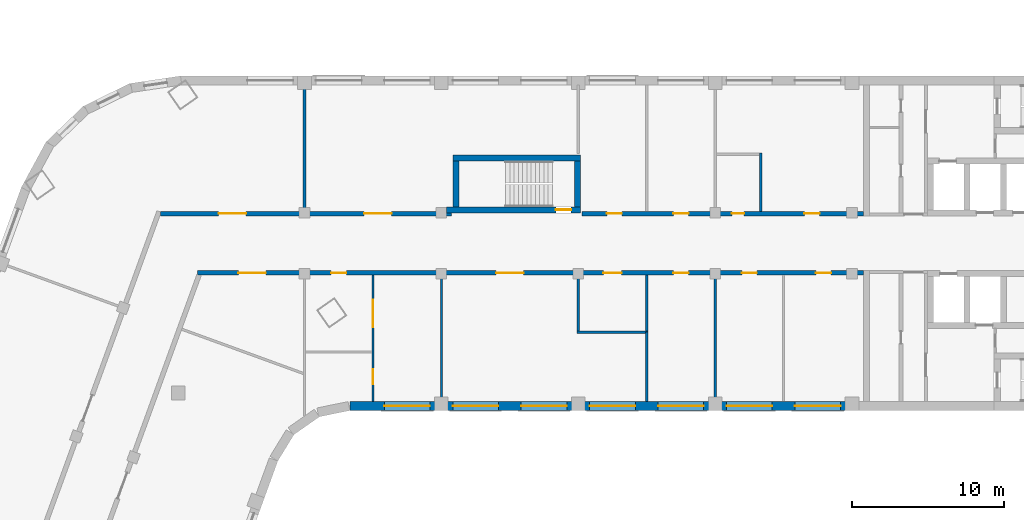
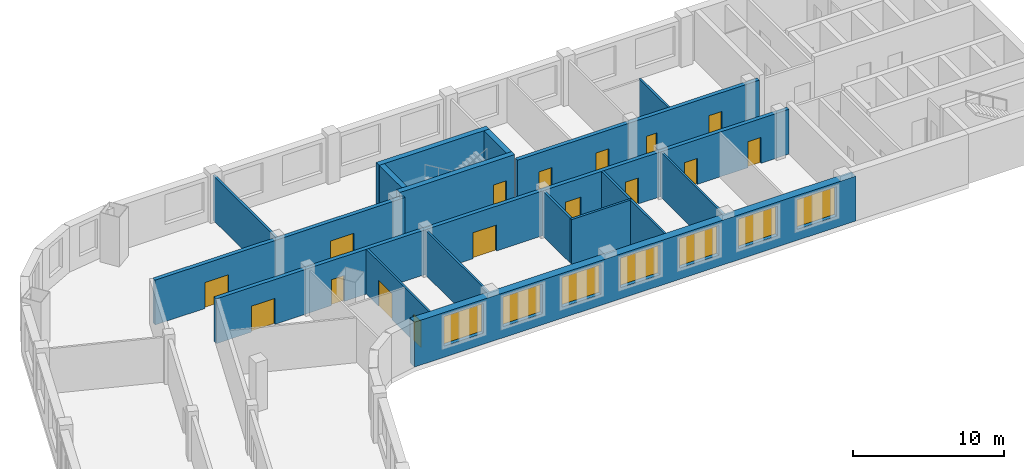
# One storey, part 4 of 12: 17 walls, 16 doors, 7 windows, 23 openings.
"""IFC4 building model written with IfcOpenShell, lengths in metres."""

from ifc_helpers import new_model, si_unit, direction, frame, frame_2d, origin, place, context, subcontext, project, spatial, rectangle, extrude, material, layer, layer_set, type_object, element, fill, save


model = new_model("IFC4")

# Units and contexts
model_context = context("Model", 3, precision=1e-05, world=origin(), true_north=direction((0.0, 1.0)))
body_context = subcontext(model_context, "Body", "Model", "MODEL_VIEW")
ifc_project = project(units=[si_unit("LENGTHUNIT", "METRE"), si_unit("AREAUNIT", "SQUARE_METRE"), si_unit("VOLUMEUNIT", "CUBIC_METRE"), si_unit("PLANEANGLEUNIT", "RADIAN"), si_unit("MASSUNIT", "GRAM", prefix="KILO")], contexts=[model_context])

# Site, building, storey
site_placement = place(None, origin())
site = spatial("IfcSite", under=ifc_project, at=site_placement, CompositionType="ELEMENT")
building_placement = place(site_placement, origin())
building = spatial("IfcBuilding", under=site, at=building_placement, Name="Skarvind Civic Tower", CompositionType="ELEMENT")
storey_placement = place(building_placement, frame((0.0, 0.0, 59.5)))
storey = spatial("IfcBuildingStorey", under=building, at=storey_placement, Name="L13", CompositionType="ELEMENT", Elevation=59.5)

# Walls
ifc_material_1 = material(Name="Acoustic gypsum board on steel studs", Category="steel")
ifc_layer_1 = layer(ifc_material_1, 0.175048828125)
ifc_layer_set_1 = layer_set([ifc_layer_1], Name="ACOUSTIC MEETING-ROOM PARTITION 175")
wall_type_1 = type_object("IfcWallType", Name="ACOUSTIC MEETING-ROOM PARTITION 175", PredefinedType="PARTITIONING", material=ifc_layer_set_1)
wall_1_placement = place(storey_placement, frame((54.25, 138.39990234375, 0.0), z_axis=(0.0, 0.0, 1.0), x_axis=(0.0, -1.0, 0.0)))
element("IfcWall", 1, at=wall_1_placement, inside=storey, type_object=wall_type_1, Name="Partition 13.015", PredefinedType="PARTITIONING", context=body_context, shape_type="SweptSolid", body=[
    extrude(rectangle(XDim=8.2998046875, YDim=0.175048828125, at=frame_2d((4.14990234375, 0.0))), origin(), (0.0, 0.0, 1.0), 3.625),
])
wall_2_placement = place(storey_placement, frame((72.25, 122.238037109375, 0.0), z_axis=(0.0, 0.0, 1.0), x_axis=(0.0, 1.0, 0.0)))
element("IfcWall", 2, at=wall_2_placement, inside=storey, type_object=wall_type_1, Name="Partition 13.018", PredefinedType="PARTITIONING", context=body_context, shape_type="SweptSolid", body=[
    extrude(rectangle(XDim=3.661865234375, YDim=0.175048828125, at=frame_2d((1.8310546875, 0.0))), origin(), (0.0, 0.0, 1.0), 3.625),
])
wall_3_placement = place(storey_placement, frame((76.837890625, 122.14990234375, 0.0), z_axis=(0.0, 0.0, 1.0), x_axis=(-1.0, 0.0, 0.0)))
element("IfcWall", 3, at=wall_3_placement, inside=storey, type_object=wall_type_1, Name="Partition 13.022", PredefinedType="PARTITIONING", context=body_context, shape_type="SweptSolid", body=[
    extrude(rectangle(XDim=4.67578125, YDim=0.175048828125, at=frame_2d((2.337890625, 0.0))), origin(), (0.0, 0.0, 1.0), 3.625),
])
wall_4_placement = place(storey_placement, frame((76.75, 122.238037109375, 0.0), z_axis=(0.0, 0.0, 1.0), x_axis=(0.0, 1.0, 0.0)))
element("IfcWall", 4, at=wall_4_placement, inside=storey, type_object=wall_type_1, Name="Partition 13.023", PredefinedType="PARTITIONING", context=body_context, shape_type="SweptSolid", body=[
    extrude(rectangle(XDim=3.661865234375, YDim=0.175048828125, at=frame_2d((1.8310546875, 0.0))), origin(), (0.0, 0.0, 1.0), 3.625),
])

# Wall, openings, doors
ifc_material_2 = material(Name="Fire-rated gypsum board on steel studs", Category="steel")
ifc_layer_2 = layer(ifc_material_2, 0.300048828125)
ifc_layer_set_2 = layer_set([ifc_layer_2], Name="CORRIDOR WALL 300")
wall_type_2 = type_object("IfcWallType", Name="CORRIDOR WALL 300", PredefinedType="PARTITIONING", material=ifc_layer_set_2)
wall_5_placement = place(storey_placement, frame((44.784912109375, 129.949951171875, 0.0), z_axis=(0.0, 0.0, 1.0), x_axis=(1.0, 0.0, 0.0)))
wall_5 = element("IfcWall", 5, at=wall_5_placement, inside=storey, type_object=wall_type_2, Name="Partition 13.010", PredefinedType="PARTITIONING", context=body_context, shape_type="SweptSolid", body=[
    extrude(rectangle(XDim=19.114990234375, YDim=0.300048828125, at=frame_2d((9.5576171875, 0.0))), origin(), (0.0, 0.0, 1.0), 3.625),
])
opening_1_placement = place(wall_5_placement, frame((13.389892578125, 0.0, 0.0)))
opening_1 = element("IfcOpeningElement", 6, at=opening_1_placement, cuts=wall_5, Name="Opening L13-D005", PredefinedType="OPENING", context=body_context, shape_type="SweptSolid", body=[
    extrude(rectangle(XDim=1.800048828125, YDim=2.10009765625, at=frame_2d((0.89990234375, 1.050048828125))), frame((0.0, 0.159912109375, 0.0), z_axis=(0.0, -1.0, 0.0), x_axis=(1.0, 0.0, 0.0)), (0.0, 0.0, 1.0), 0.320068359375),
])
opening_2_placement = place(wall_5_placement, frame((3.822509765625, 0.0, 0.0)))
opening_2 = element("IfcOpeningElement", 7, at=opening_2_placement, cuts=wall_5, Name="Opening L13-D022", PredefinedType="OPENING", context=body_context, shape_type="SweptSolid", body=[
    extrude(rectangle(XDim=1.800048828125, YDim=2.10009765625, at=frame_2d((0.89990234375, 1.050048828125))), frame((0.0, 0.159912109375, 0.0), z_axis=(0.0, -1.0, 0.0), x_axis=(1.0, 0.0, 0.0)), (0.0, 0.0, 1.0), 0.320068359375),
])
ifc_material_3 = material(Name="Fire-rated timber door leaf", Category="wood")
door_type_1 = type_object("IfcDoorType", Name="FD4 1800x2100", OperationType="NOTDEFINED", PredefinedType="DOOR", material=ifc_material_3)
door_1_placement = place(opening_1_placement, origin())
door_1 = element("IfcDoor", 8, at=door_1_placement, inside=storey, type_object=door_type_1, Name="Door L13-D005", OperationType="DOUBLE_DOOR_SINGLE_SWING", OverallHeight=2.10009765625, OverallWidth=1.800048828125, PredefinedType="DOOR", context=body_context, shape_type="SweptSolid", body=[
    extrude(rectangle(XDim=1.800048828125, YDim=2.10009765625, at=frame_2d((0.89990234375, 1.050048828125))), frame((0.0, 0.02490234375, 0.0), z_axis=(0.0, -1.0, 0.0), x_axis=(1.0, 0.0, 0.0)), (0.0, 0.0, 1.0), 0.050048828125),
])
fill(opening_1, door_1)
door_2_placement = place(opening_2_placement, origin())
door_2 = element("IfcDoor", 9, at=door_2_placement, inside=storey, type_object=door_type_1, Name="Door L13-D022", OperationType="DOUBLE_DOOR_SINGLE_SWING", OverallHeight=2.10009765625, OverallWidth=1.800048828125, PredefinedType="DOOR", context=body_context, shape_type="SweptSolid", body=[
    extrude(rectangle(XDim=1.800048828125, YDim=2.10009765625, at=frame_2d((0.89990234375, 1.050048828125))), frame((0.0, 0.02490234375, 0.0), z_axis=(0.0, -1.0, 0.0), x_axis=(1.0, 0.0, 0.0)), (0.0, 0.0, 1.0), 0.050048828125),
])
fill(opening_2, door_2)

wall_6_placement = place(storey_placement, frame((72.5, 129.949951171875, 0.0), z_axis=(0.0, 0.0, 1.0), x_axis=(1.0, 0.0, 0.0)))
wall_6 = element("IfcWall", 10, at=wall_6_placement, inside=storey, type_object=wall_type_2, Name="Partition 13.020", PredefinedType="PARTITIONING", context=body_context, shape_type="SweptSolid", body=[
    extrude(rectangle(XDim=18.5, YDim=0.300048828125, at=frame_2d((9.25, 0.0))), origin(), (0.0, 0.0, 1.0), 3.625),
])
opening_3_placement = place(wall_6_placement, frame((9.85009765625, 0.0, 0.0)))
opening_3 = element("IfcOpeningElement", 11, at=opening_3_placement, cuts=wall_6, Name="Opening L13-D001", PredefinedType="OPENING", context=body_context, shape_type="SweptSolid", body=[
    extrude(rectangle(XDim=0.800048828125, YDim=2.10009765625, at=frame_2d((0.39990234375, 1.050048828125))), frame((0.0, 0.159912109375, 0.0), z_axis=(0.0, -1.0, 0.0), x_axis=(1.0, 0.0, 0.0)), (0.0, 0.0, 1.0), 0.320068359375),
])
opening_4_placement = place(wall_6_placement, frame((14.625, 0.0, 0.0)))
opening_4 = element("IfcOpeningElement", 12, at=opening_4_placement, cuts=wall_6, Name="Opening L13-D002", PredefinedType="OPENING", context=body_context, shape_type="SweptSolid", body=[
    extrude(rectangle(XDim=1.0, YDim=2.10009765625, at=frame_2d((0.5, 1.050048828125))), frame((0.0, 0.159912109375, 0.0), z_axis=(0.0, -1.0, 0.0), x_axis=(1.0, 0.0, 0.0)), (0.0, 0.0, 1.0), 0.320068359375),
])
opening_5_placement = place(wall_6_placement, frame((6.0, 0.0, 0.0)))
opening_5 = element("IfcOpeningElement", 13, at=opening_5_placement, cuts=wall_6, Name="Opening L13-D003", PredefinedType="OPENING", context=body_context, shape_type="SweptSolid", body=[
    extrude(rectangle(XDim=1.0, YDim=2.10009765625, at=frame_2d((0.5, 1.050048828125))), frame((0.0, 0.159912109375, 0.0), z_axis=(0.0, -1.0, 0.0), x_axis=(1.0, 0.0, 0.0)), (0.0, 0.0, 1.0), 0.320068359375),
])
opening_6_placement = place(wall_6_placement, frame((1.625, 0.0, 0.0)))
opening_6 = element("IfcOpeningElement", 14, at=opening_6_placement, cuts=wall_6, Name="Opening L13-D004", PredefinedType="OPENING", context=body_context, shape_type="SweptSolid", body=[
    extrude(rectangle(XDim=1.0, YDim=2.10009765625, at=frame_2d((0.5, 1.050048828125))), frame((0.0, 0.159912109375, 0.0), z_axis=(0.0, -1.0, 0.0), x_axis=(1.0, 0.0, 0.0)), (0.0, 0.0, 1.0), 0.320068359375),
])
door_type_2 = type_object("IfcDoorType", Name="FD1 1000x2100", OperationType="NOTDEFINED", PredefinedType="DOOR", material=ifc_material_3)
door_3_placement = place(opening_4_placement, origin())
door_3 = element("IfcDoor", 15, at=door_3_placement, inside=storey, type_object=door_type_2, Name="Door L13-D002", OperationType="SINGLE_SWING_LEFT", OverallHeight=2.10009765625, OverallWidth=1.0, PredefinedType="DOOR", context=body_context, shape_type="SweptSolid", body=[
    extrude(rectangle(XDim=1.0, YDim=2.10009765625, at=frame_2d((0.5, 1.050048828125))), frame((0.0, 0.02490234375, 0.0), z_axis=(0.0, -1.0, 0.0), x_axis=(1.0, 0.0, 0.0)), (0.0, 0.0, 1.0), 0.050048828125),
])
fill(opening_4, door_3)
door_4_placement = place(opening_5_placement, origin())
door_4 = element("IfcDoor", 16, at=door_4_placement, inside=storey, type_object=door_type_2, Name="Door L13-D003", OperationType="SINGLE_SWING_RIGHT", OverallHeight=2.10009765625, OverallWidth=1.0, PredefinedType="DOOR", context=body_context, shape_type="SweptSolid", body=[
    extrude(rectangle(XDim=1.0, YDim=2.10009765625, at=frame_2d((0.5, 1.050048828125))), frame((0.0, 0.02490234375, 0.0), z_axis=(0.0, -1.0, 0.0), x_axis=(1.0, 0.0, 0.0)), (0.0, 0.0, 1.0), 0.050048828125),
])
fill(opening_5, door_4)
door_5_placement = place(opening_6_placement, origin())
door_5 = element("IfcDoor", 17, at=door_5_placement, inside=storey, type_object=door_type_2, Name="Door L13-D004", OperationType="SINGLE_SWING_LEFT", OverallHeight=2.10009765625, OverallWidth=1.0, PredefinedType="DOOR", context=body_context, shape_type="SweptSolid", body=[
    extrude(rectangle(XDim=1.0, YDim=2.10009765625, at=frame_2d((0.5, 1.050048828125))), frame((0.0, 0.02490234375, 0.0), z_axis=(0.0, -1.0, 0.0), x_axis=(1.0, 0.0, 0.0)), (0.0, 0.0, 1.0), 0.050048828125),
])
fill(opening_6, door_5)
door_type_3 = type_object("IfcDoorType", Name="FD5 800x2100", OperationType="NOTDEFINED", PredefinedType="DOOR", material=ifc_material_3)
door_6_placement = place(opening_3_placement, origin())
door_6 = element("IfcDoor", 18, at=door_6_placement, inside=storey, type_object=door_type_3, Name="Door L13-D001", OperationType="SINGLE_SWING_LEFT", OverallHeight=2.10009765625, OverallWidth=0.800048828125, PredefinedType="DOOR", context=body_context, shape_type="SweptSolid", body=[
    extrude(rectangle(XDim=0.800048828125, YDim=2.10009765625, at=frame_2d((0.39990234375, 1.050048828125))), frame((0.0, 0.02490234375, 0.0), z_axis=(0.0, -1.0, 0.0), x_axis=(1.0, 0.0, 0.0)), (0.0, 0.0, 1.0), 0.050048828125),
])
fill(opening_3, door_6)

wall_7_placement = place(storey_placement, frame((91.0, 126.050048828125, 0.0), z_axis=(0.0, 0.0, 1.0), x_axis=(-1.0, 0.0, 0.0)))
wall_7 = element("IfcWall", 19, at=wall_7_placement, inside=storey, type_object=wall_type_2, Name="Partition 13.030", PredefinedType="PARTITIONING", context=body_context, shape_type="SweptSolid", body=[
    extrude(rectangle(XDim=43.784912109375, YDim=0.300048828125, at=frame_2d((21.892578125, 0.0))), origin(), (0.0, 0.0, 1.0), 3.625),
])
opening_7_placement = place(wall_7_placement, frame((2.125, 0.0, 0.0)))
opening_7 = element("IfcOpeningElement", 20, at=opening_7_placement, cuts=wall_7, Name="Opening L13-D006", PredefinedType="OPENING", context=body_context, shape_type="SweptSolid", body=[
    extrude(rectangle(XDim=1.0, YDim=2.10009765625, at=frame_2d((0.5, 1.050048828125))), frame((0.0, 0.159912109375, 0.0), z_axis=(0.0, -1.0, 0.0), x_axis=(1.0, 0.0, 0.0)), (0.0, 0.0, 1.0), 0.320068359375),
])
opening_8_placement = place(wall_7_placement, frame((7.0, 0.0, 0.0)))
opening_8 = element("IfcOpeningElement", 21, at=opening_8_placement, cuts=wall_7, Name="Opening L13-D007", PredefinedType="OPENING", context=body_context, shape_type="SweptSolid", body=[
    extrude(rectangle(XDim=1.0, YDim=2.10009765625, at=frame_2d((0.5, 1.050048828125))), frame((0.0, 0.159912109375, 0.0), z_axis=(0.0, -1.0, 0.0), x_axis=(1.0, 0.0, 0.0)), (0.0, 0.0, 1.0), 0.320068359375),
])
opening_9_placement = place(wall_7_placement, frame((11.5, 0.0, 0.0)))
opening_9 = element("IfcOpeningElement", 22, at=opening_9_placement, cuts=wall_7, Name="Opening L13-D008", PredefinedType="OPENING", context=body_context, shape_type="SweptSolid", body=[
    extrude(rectangle(XDim=1.0, YDim=2.10009765625, at=frame_2d((0.5, 1.050048828125))), frame((0.0, 0.159912109375, 0.0), z_axis=(0.0, -1.0, 0.0), x_axis=(1.0, 0.0, 0.0)), (0.0, 0.0, 1.0), 0.320068359375),
])
opening_10_placement = place(wall_7_placement, frame((15.89990234375, 0.0, 0.0)))
opening_10 = element("IfcOpeningElement", 23, at=opening_10_placement, cuts=wall_7, Name="Opening L13-D009", PredefinedType="OPENING", context=body_context, shape_type="SweptSolid", body=[
    extrude(rectangle(XDim=1.199951171875, YDim=2.10009765625, at=frame_2d((0.60009765625, 1.050048828125))), frame((0.0, 0.159912109375, 0.0), z_axis=(0.0, -1.0, 0.0), x_axis=(1.0, 0.0, 0.0)), (0.0, 0.0, 1.0), 0.320068359375),
])
opening_11_placement = place(wall_7_placement, frame((22.35009765625, 0.0, 0.0)))
opening_11 = element("IfcOpeningElement", 24, at=opening_11_placement, cuts=wall_7, Name="Opening L13-D010", PredefinedType="OPENING", context=body_context, shape_type="SweptSolid", body=[
    extrude(rectangle(XDim=1.800048828125, YDim=2.10009765625, at=frame_2d((0.89990234375, 1.050048828125))), frame((0.0, 0.159912109375, 0.0), z_axis=(0.0, -1.0, 0.0), x_axis=(1.0, 0.0, 0.0)), (0.0, 0.0, 1.0), 0.320068359375),
])
opening_12_placement = place(wall_7_placement, frame((34.0, 0.0, 0.0)))
opening_12 = element("IfcOpeningElement", 25, at=opening_12_placement, cuts=wall_7, Name="Opening L13-D011", PredefinedType="OPENING", context=body_context, shape_type="SweptSolid", body=[
    extrude(rectangle(XDim=1.0, YDim=2.10009765625, at=frame_2d((0.5, 1.050048828125))), frame((0.0, 0.159912109375, 0.0), z_axis=(0.0, -1.0, 0.0), x_axis=(1.0, 0.0, 0.0)), (0.0, 0.0, 1.0), 0.320068359375),
])
opening_13_placement = place(wall_7_placement, frame((39.2958984375, 0.0, 0.0)))
opening_13 = element("IfcOpeningElement", 26, at=opening_13_placement, cuts=wall_7, Name="Opening L13-D023", PredefinedType="OPENING", context=body_context, shape_type="SweptSolid", body=[
    extrude(rectangle(XDim=1.800048828125, YDim=2.10009765625, at=frame_2d((0.89990234375, 1.050048828125))), frame((0.0, 0.159912109375, 0.0), z_axis=(0.0, -1.0, 0.0), x_axis=(1.0, 0.0, 0.0)), (0.0, 0.0, 1.0), 0.320068359375),
])
door_7_placement = place(opening_7_placement, origin())
door_7 = element("IfcDoor", 27, at=door_7_placement, inside=storey, type_object=door_type_2, Name="Door L13-D006", OperationType="SINGLE_SWING_LEFT", OverallHeight=2.10009765625, OverallWidth=1.0, PredefinedType="DOOR", context=body_context, shape_type="SweptSolid", body=[
    extrude(rectangle(XDim=1.0, YDim=2.10009765625, at=frame_2d((0.5, 1.050048828125))), frame((0.0, 0.02490234375, 0.0), z_axis=(0.0, -1.0, 0.0), x_axis=(1.0, 0.0, 0.0)), (0.0, 0.0, 1.0), 0.050048828125),
])
fill(opening_7, door_7)
door_8_placement = place(opening_8_placement, origin())
door_8 = element("IfcDoor", 28, at=door_8_placement, inside=storey, type_object=door_type_2, Name="Door L13-D007", OperationType="SINGLE_SWING_RIGHT", OverallHeight=2.10009765625, OverallWidth=1.0, PredefinedType="DOOR", context=body_context, shape_type="SweptSolid", body=[
    extrude(rectangle(XDim=1.0, YDim=2.10009765625, at=frame_2d((0.5, 1.050048828125))), frame((0.0, 0.02490234375, 0.0), z_axis=(0.0, -1.0, 0.0), x_axis=(1.0, 0.0, 0.0)), (0.0, 0.0, 1.0), 0.050048828125),
])
fill(opening_8, door_8)
door_9_placement = place(opening_9_placement, origin())
door_9 = element("IfcDoor", 29, at=door_9_placement, inside=storey, type_object=door_type_2, Name="Door L13-D008", OperationType="SINGLE_SWING_LEFT", OverallHeight=2.10009765625, OverallWidth=1.0, PredefinedType="DOOR", context=body_context, shape_type="SweptSolid", body=[
    extrude(rectangle(XDim=1.0, YDim=2.10009765625, at=frame_2d((0.5, 1.050048828125))), frame((0.0, 0.02490234375, 0.0), z_axis=(0.0, -1.0, 0.0), x_axis=(1.0, 0.0, 0.0)), (0.0, 0.0, 1.0), 0.050048828125),
])
fill(opening_9, door_9)
door_10_placement = place(opening_12_placement, origin())
door_10 = element("IfcDoor", 30, at=door_10_placement, inside=storey, type_object=door_type_2, Name="Door L13-D011", OperationType="SINGLE_SWING_LEFT", OverallHeight=2.10009765625, OverallWidth=1.0, PredefinedType="DOOR", context=body_context, shape_type="SweptSolid", body=[
    extrude(rectangle(XDim=1.0, YDim=2.10009765625, at=frame_2d((0.5, 1.050048828125))), frame((0.0, 0.02490234375, 0.0), z_axis=(0.0, -1.0, 0.0), x_axis=(1.0, 0.0, 0.0)), (0.0, 0.0, 1.0), 0.050048828125),
])
fill(opening_12, door_10)
door_11_placement = place(opening_11_placement, origin())
door_11 = element("IfcDoor", 31, at=door_11_placement, inside=storey, type_object=door_type_1, Name="Door L13-D010", OperationType="DOUBLE_DOOR_SINGLE_SWING", OverallHeight=2.10009765625, OverallWidth=1.800048828125, PredefinedType="DOOR", context=body_context, shape_type="SweptSolid", body=[
    extrude(rectangle(XDim=1.800048828125, YDim=2.10009765625, at=frame_2d((0.89990234375, 1.050048828125))), frame((0.0, 0.02490234375, 0.0), z_axis=(0.0, -1.0, 0.0), x_axis=(1.0, 0.0, 0.0)), (0.0, 0.0, 1.0), 0.050048828125),
])
fill(opening_11, door_11)
door_12_placement = place(opening_13_placement, origin())
door_12 = element("IfcDoor", 32, at=door_12_placement, inside=storey, type_object=door_type_1, Name="Door L13-D023", OperationType="DOUBLE_DOOR_SINGLE_SWING", OverallHeight=2.10009765625, OverallWidth=1.800048828125, PredefinedType="DOOR", context=body_context, shape_type="SweptSolid", body=[
    extrude(rectangle(XDim=1.800048828125, YDim=2.10009765625, at=frame_2d((0.89990234375, 1.050048828125))), frame((0.0, 0.02490234375, 0.0), z_axis=(0.0, -1.0, 0.0), x_axis=(1.0, 0.0, 0.0)), (0.0, 0.0, 1.0), 0.050048828125),
])
fill(opening_13, door_12)
door_type_4 = type_object("IfcDoorType", Name="FD6 1200x2100 DOUBLE", OperationType="NOTDEFINED", PredefinedType="DOOR", material=ifc_material_3)
door_13_placement = place(opening_10_placement, origin())
door_13 = element("IfcDoor", 33, at=door_13_placement, inside=storey, type_object=door_type_4, Name="Door L13-D009", OperationType="DOUBLE_DOOR_SINGLE_SWING", OverallHeight=2.10009765625, OverallWidth=1.199951171875, PredefinedType="DOOR", context=body_context, shape_type="SweptSolid", body=[
    extrude(rectangle(XDim=1.199951171875, YDim=2.10009765625, at=frame_2d((0.60009765625, 1.050048828125))), frame((0.0, 0.02490234375, 0.0), z_axis=(0.0, -1.0, 0.0), x_axis=(1.0, 0.0, 0.0)), (0.0, 0.0, 1.0), 0.050048828125),
])
fill(opening_10, door_13)

# Wall, opening, door
ifc_material_4 = material(Name="Concrete C80", Category="concrete")
ifc_layer_3 = layer(ifc_material_4, 0.39990234375)
ifc_layer_set_3 = layer_set([ifc_layer_3], Name="Core wall 400 C80")
wall_type_3 = type_object("IfcWallType", Name="Core wall 400 C80", PredefinedType="SHEAR", material=ifc_layer_set_3)
wall_8_placement = place(storey_placement, frame((63.60009765625, 130.199951171875, 0.0), z_axis=(0.0, 0.0, 1.0), x_axis=(1.0, 0.0, 0.0)))
wall_8 = element("IfcWall", 34, at=wall_8_placement, inside=storey, type_object=wall_type_3, Name="Core wall CM inner L13", PredefinedType="SHEAR", context=body_context, shape_type="SweptSolid", body=[
    extrude(rectangle(XDim=8.7998046875, YDim=0.39990234375, at=frame_2d((4.39990234375, 0.0))), origin(), (0.0, 0.0, 1.0), 4.0),
])
opening_14_placement = place(wall_8_placement, frame((7.175048828125, 0.0, 0.0)))
opening_14 = element("IfcOpeningElement", 35, at=opening_14_placement, cuts=wall_8, Name="Opening D-L13-CM-01", PredefinedType="OPENING", context=body_context, shape_type="SweptSolid", body=[
    extrude(rectangle(XDim=1.0, YDim=2.10009765625, at=frame_2d((0.5, 1.050048828125))), frame((0.0, 0.2099609375, 0.0), z_axis=(0.0, -1.0, 0.0), x_axis=(1.0, 0.0, 0.0)), (0.0, 0.0, 1.0), 0.419921875),
])
ifc_material_5 = material(Name="Fire-rated steel door", Category="steel")
door_type_5 = type_object("IfcDoorType", Name="Fire door 1000", OperationType="NOTDEFINED", PredefinedType="DOOR", material=ifc_material_5)
door_14_placement = place(opening_14_placement, origin())
door_14 = element("IfcDoor", 36, at=door_14_placement, inside=storey, type_object=door_type_5, Name="Fire door", OperationType="SINGLE_SWING_LEFT", OverallHeight=2.10009765625, OverallWidth=1.0, PredefinedType="DOOR", context=body_context, shape_type="SweptSolid", body=[
    extrude(rectangle(XDim=1.0, YDim=2.10009765625, at=frame_2d((0.5, 1.050048828125))), frame((0.0, 0.02490234375, 0.0), z_axis=(0.0, -1.0, 0.0), x_axis=(1.0, 0.0, 0.0)), (0.0, 0.0, 1.0), 0.050048828125),
])
fill(opening_14, door_14)

# Walls
wall_9_placement = place(storey_placement, frame((64.0, 133.60009765625, 0.0), z_axis=(0.0, 0.0, 1.0), x_axis=(1.0, 0.0, 0.0)))
element("IfcWall", 37, at=wall_9_placement, inside=storey, type_object=wall_type_3, Name="Core wall CM outer L13", PredefinedType="SHEAR", context=body_context, shape_type="SweptSolid", body=[
    extrude(rectangle(XDim=8.39990234375, YDim=0.39990234375, at=frame_2d((4.199951171875, 0.0))), origin(), (0.0, 0.0, 1.0), 4.0),
])
for number, where, z_axis, x_axis, name in (
    (38, (64.199951171875, 130.39990234375, 0.0), (0.0, 0.0, 1.0), (0.0, 1.0, 0.0), "Core wall CM west L13"),
    (39, (72.199951171875, 130.39990234375, 0.0), (0.0, 0.0, 1.0), (0.0, 1.0, 0.0), "Core wall CM end L13"),
):
    element("IfcWall", number, at=place(storey_placement, frame(where, z_axis=z_axis, x_axis=x_axis)), inside=storey, type_object=wall_type_3, Name=name, PredefinedType="SHEAR", context=body_context, shape_type="SweptSolid", body=[
        extrude(rectangle(XDim=3.0, YDim=0.39990234375, at=frame_2d((1.5, 0.0))), origin(), (0.0, 0.0, 1.0), 4.0),
    ])

# Wall, openings, doors
ifc_material_6 = material(Name="Plasterboard partition on steel studs", Category="steel")
ifc_layer_4 = layer(ifc_material_6, 0.14990234375)
ifc_layer_set_4 = layer_set([ifc_layer_4], Name="PARTITION 150")
wall_type_4 = type_object("IfcWallType", Name="PARTITION 150", PredefinedType="PARTITIONING", material=ifc_layer_set_4)
wall_10_placement = place(storey_placement, frame((58.75, 117.60009765625, 0.0), z_axis=(0.0, 0.0, 1.0), x_axis=(0.0, 1.0, 0.0)))
wall_10 = element("IfcWall", 40, at=wall_10_placement, inside=storey, type_object=wall_type_4, Name="Partition 13.016", PredefinedType="PARTITIONING", context=body_context, shape_type="SweptSolid", body=[
    extrude(rectangle(XDim=8.2998046875, YDim=0.14990234375, at=frame_2d((4.14990234375, 0.0))), origin(), (0.0, 0.0, 1.0), 3.625),
])
opening_15_placement = place(wall_10_placement, frame((1.125, 0.0, 0.0)))
opening_15 = element("IfcOpeningElement", 41, at=opening_15_placement, cuts=wall_10, Name="Opening L13-D012", PredefinedType="OPENING", context=body_context, shape_type="SweptSolid", body=[
    extrude(rectangle(XDim=1.0, YDim=2.10009765625, at=frame_2d((0.5, 1.050048828125))), frame((0.0, 0.0849609375, 0.0), z_axis=(0.0, -1.0, 0.0), x_axis=(1.0, 0.0, 0.0)), (0.0, 0.0, 1.0), 0.169921875),
])
opening_16_placement = place(wall_10_placement, frame((4.883544921875, 0.0, 0.0)))
opening_16 = element("IfcOpeningElement", 42, at=opening_16_placement, cuts=wall_10, Name="Opening L13-D013", PredefinedType="OPENING", context=body_context, shape_type="SweptSolid", body=[
    extrude(rectangle(XDim=1.800048828125, YDim=2.10009765625, at=frame_2d((0.89990234375, 1.050048828125))), frame((0.0, 0.0849609375, 0.0), z_axis=(0.0, -1.0, 0.0), x_axis=(1.0, 0.0, 0.0)), (0.0, 0.0, 1.0), 0.169921875),
])
ifc_material_7 = material(Name="Timber door leaf", Category="wood")
door_type_6 = type_object("IfcDoorType", Name="D1 1000x2100", OperationType="NOTDEFINED", PredefinedType="DOOR", material=ifc_material_7)
door_15_placement = place(opening_15_placement, origin())
door_15 = element("IfcDoor", 43, at=door_15_placement, inside=storey, type_object=door_type_6, Name="Door L13-D012", OperationType="SINGLE_SWING_RIGHT", OverallHeight=2.10009765625, OverallWidth=1.0, PredefinedType="DOOR", context=body_context, shape_type="SweptSolid", body=[
    extrude(rectangle(XDim=1.0, YDim=2.10009765625, at=frame_2d((0.5, 1.050048828125))), frame((0.0, 0.02490234375, 0.0), z_axis=(0.0, -1.0, 0.0), x_axis=(1.0, 0.0, 0.0)), (0.0, 0.0, 1.0), 0.050048828125),
])
fill(opening_15, door_15)
door_type_7 = type_object("IfcDoorType", Name="D4 1800x2100", OperationType="NOTDEFINED", PredefinedType="DOOR", material=ifc_material_7)
door_16_placement = place(opening_16_placement, origin())
door_16 = element("IfcDoor", 44, at=door_16_placement, inside=storey, type_object=door_type_7, Name="Door L13-D013", OperationType="DOUBLE_DOOR_SINGLE_SWING", OverallHeight=2.10009765625, OverallWidth=1.800048828125, PredefinedType="DOOR", context=body_context, shape_type="SweptSolid", body=[
    extrude(rectangle(XDim=1.800048828125, YDim=2.10009765625, at=frame_2d((0.89990234375, 1.050048828125))), frame((0.0, 0.02490234375, 0.0), z_axis=(0.0, -1.0, 0.0), x_axis=(1.0, 0.0, 0.0)), (0.0, 0.0, 1.0), 0.050048828125),
])
fill(opening_16, door_16)

# Walls
wall_11_placement = place(storey_placement, frame((63.25, 117.60009765625, 0.0), z_axis=(0.0, 0.0, 1.0), x_axis=(0.0, 1.0, 0.0)))
element("IfcWall", 45, at=wall_11_placement, inside=storey, type_object=wall_type_4, Name="Partition 13.017", PredefinedType="PARTITIONING", context=body_context, shape_type="SweptSolid", body=[
    extrude(rectangle(XDim=8.2998046875, YDim=0.14990234375, at=frame_2d((4.14990234375, 0.0))), origin(), (0.0, 0.0, 1.0), 3.625),
])
wall_12_placement = place(storey_placement, frame((76.75, 117.60009765625, 0.0), z_axis=(0.0, 0.0, 1.0), x_axis=(0.0, 1.0, 0.0)))
element("IfcWall", 46, at=wall_12_placement, inside=storey, type_object=wall_type_4, Name="Partition 13.021", PredefinedType="PARTITIONING", context=body_context, shape_type="SweptSolid", body=[
    extrude(rectangle(XDim=4.552978515625, YDim=0.14990234375, at=frame_2d((2.2763671875, 0.0))), origin(), (0.0, 0.0, 1.0), 3.625),
])
wall_13_placement = place(storey_placement, frame((81.25, 117.60009765625, 0.0), z_axis=(0.0, 0.0, 1.0), x_axis=(0.0, 1.0, 0.0)))
element("IfcWall", 47, at=wall_13_placement, inside=storey, type_object=wall_type_4, Name="Partition 13.025", PredefinedType="PARTITIONING", context=body_context, shape_type="SweptSolid", body=[
    extrude(rectangle(XDim=8.2998046875, YDim=0.14990234375, at=frame_2d((4.14990234375, 0.0))), origin(), (0.0, 0.0, 1.0), 3.625),
])
wall_14_placement = place(storey_placement, frame((84.25, 133.925048828125, 0.0), z_axis=(0.0, 0.0, 1.0), x_axis=(0.0, -1.0, 0.0)))
element("IfcWall", 48, at=wall_14_placement, inside=storey, type_object=wall_type_4, Name="Partition 13.028", PredefinedType="PARTITIONING", context=body_context, shape_type="SweptSolid", body=[
    extrude(rectangle(XDim=3.824951171875, YDim=0.14990234375, at=frame_2d((1.91259765625, 0.0))), origin(), (0.0, 0.0, 1.0), 3.625),
])

# Wall, openings, windows
ifc_material_8 = material(Name="Limestone masonry cladding on insulated backing", Category="masonry")
ifc_layer_5 = layer(ifc_material_8, 0.60009765625)
ifc_layer_set_5 = layer_set([ifc_layer_5], Name="WX1 STONE FACADE WALL 600")
wall_type_5 = type_object("IfcWallType", Name="WX1 STONE FACADE WALL 600", PredefinedType="SOLIDWALL", material=ifc_layer_set_5)
wall_15_placement = place(storey_placement, frame((90.97998046875, 117.300048828125, 0.0), z_axis=(0.0, 0.0, 1.0), x_axis=(-1.0, 0.0, 0.0)))
wall_15 = element("IfcWall", 49, at=wall_15_placement, inside=storey, type_object=wall_type_5, Name="STONE FACADE WALL", PredefinedType="SOLIDWALL", context=body_context, shape_type="SweptSolid", body=[
    extrude(rectangle(XDim=33.744873046875, YDim=0.60009765625, at=frame_2d((16.87255859375, 0.0))), origin(), (0.0, 0.0, 1.0), 3.625),
])
opening_17_placement = place(wall_15_placement, frame((1.47998046875, 0.0, 0.89990234375)))
opening_17 = element("IfcOpeningElement", 50, at=opening_17_placement, cuts=wall_15, Name="Opening WN1", PredefinedType="OPENING", context=body_context, shape_type="SweptSolid", body=[
    extrude(rectangle(XDim=3.0, YDim=2.39990234375, at=frame_2d((1.5, 1.199951171875))), frame((0.0, 0.31005859375, 0.0), z_axis=(0.0, -1.0, 0.0), x_axis=(1.0, 0.0, 0.0)), (0.0, 0.0, 1.0), 0.6201171875),
])
opening_18_placement = place(wall_15_placement, frame((5.97998046875, 0.0, 0.89990234375)))
opening_18 = element("IfcOpeningElement", 51, at=opening_18_placement, cuts=wall_15, Name="Opening WN1", PredefinedType="OPENING", context=body_context, shape_type="SweptSolid", body=[
    extrude(rectangle(XDim=3.0, YDim=2.39990234375, at=frame_2d((1.5, 1.199951171875))), frame((0.0, 0.31005859375, 0.0), z_axis=(0.0, -1.0, 0.0), x_axis=(1.0, 0.0, 0.0)), (0.0, 0.0, 1.0), 0.6201171875),
])
opening_19_placement = place(wall_15_placement, frame((10.47998046875, 0.0, 0.89990234375)))
opening_19 = element("IfcOpeningElement", 52, at=opening_19_placement, cuts=wall_15, Name="Opening WN1", PredefinedType="OPENING", context=body_context, shape_type="SweptSolid", body=[
    extrude(rectangle(XDim=3.0, YDim=2.39990234375, at=frame_2d((1.5, 1.199951171875))), frame((0.0, 0.31005859375, 0.0), z_axis=(0.0, -1.0, 0.0), x_axis=(1.0, 0.0, 0.0)), (0.0, 0.0, 1.0), 0.6201171875),
])
opening_20_placement = place(wall_15_placement, frame((14.97998046875, 0.0, 0.89990234375)))
opening_20 = element("IfcOpeningElement", 53, at=opening_20_placement, cuts=wall_15, Name="Opening WN1", PredefinedType="OPENING", context=body_context, shape_type="SweptSolid", body=[
    extrude(rectangle(XDim=3.0, YDim=2.39990234375, at=frame_2d((1.5, 1.199951171875))), frame((0.0, 0.31005859375, 0.0), z_axis=(0.0, -1.0, 0.0), x_axis=(1.0, 0.0, 0.0)), (0.0, 0.0, 1.0), 0.6201171875),
])
opening_21_placement = place(wall_15_placement, frame((19.47998046875, 0.0, 0.89990234375)))
opening_21 = element("IfcOpeningElement", 54, at=opening_21_placement, cuts=wall_15, Name="Opening WN1", PredefinedType="OPENING", context=body_context, shape_type="SweptSolid", body=[
    extrude(rectangle(XDim=3.0, YDim=2.39990234375, at=frame_2d((1.5, 1.199951171875))), frame((0.0, 0.31005859375, 0.0), z_axis=(0.0, -1.0, 0.0), x_axis=(1.0, 0.0, 0.0)), (0.0, 0.0, 1.0), 0.6201171875),
])
opening_22_placement = place(wall_15_placement, frame((23.97998046875, 0.0, 0.89990234375)))
opening_22 = element("IfcOpeningElement", 55, at=opening_22_placement, cuts=wall_15, Name="Opening WN1", PredefinedType="OPENING", context=body_context, shape_type="SweptSolid", body=[
    extrude(rectangle(XDim=3.0, YDim=2.39990234375, at=frame_2d((1.5, 1.199951171875))), frame((0.0, 0.31005859375, 0.0), z_axis=(0.0, -1.0, 0.0), x_axis=(1.0, 0.0, 0.0)), (0.0, 0.0, 1.0), 0.6201171875),
])
opening_23_placement = place(wall_15_placement, frame((28.47998046875, 0.0, 0.89990234375)))
opening_23 = element("IfcOpeningElement", 56, at=opening_23_placement, cuts=wall_15, Name="Opening WN1", PredefinedType="OPENING", context=body_context, shape_type="SweptSolid", body=[
    extrude(rectangle(XDim=3.0, YDim=2.39990234375, at=frame_2d((1.5, 1.199951171875))), frame((0.0, 0.31005859375, 0.0), z_axis=(0.0, -1.0, 0.0), x_axis=(1.0, 0.0, 0.0)), (0.0, 0.0, 1.0), 0.6201171875),
])
ifc_material_9 = material(Name="Timber frame, double glazing, timber-lined reveal", Category="wood")
window_type = type_object("IfcWindowType", Name="WN1 PUNCHED STONE WINDOW 3000 x 2400", PartitioningType="SINGLE_PANEL", PredefinedType="WINDOW", material=ifc_material_9)
window_1_placement = place(opening_17_placement, origin())
window_1 = element("IfcWindow", 57, at=window_1_placement, inside=storey, type_object=window_type, Name="WN1 WINDOW", OverallHeight=2.39990234375, OverallWidth=3.0, PartitioningType="SINGLE_PANEL", PredefinedType="WINDOW", context=body_context, shape_type="SweptSolid", body=[
    extrude(rectangle(XDim=3.0, YDim=2.39990234375, at=frame_2d((1.5, 1.199951171875))), frame((0.0, 0.030029296875, 0.0), z_axis=(0.0, -1.0, 0.0), x_axis=(1.0, 0.0, 0.0)), (0.0, 0.0, 1.0), 0.06005859375),
])
fill(opening_17, window_1)
window_2_placement = place(opening_18_placement, origin())
window_2 = element("IfcWindow", 58, at=window_2_placement, inside=storey, type_object=window_type, Name="WN1 WINDOW", OverallHeight=2.39990234375, OverallWidth=3.0, PartitioningType="SINGLE_PANEL", PredefinedType="WINDOW", context=body_context, shape_type="SweptSolid", body=[
    extrude(rectangle(XDim=3.0, YDim=2.39990234375, at=frame_2d((1.5, 1.199951171875))), frame((0.0, 0.030029296875, 0.0), z_axis=(0.0, -1.0, 0.0), x_axis=(1.0, 0.0, 0.0)), (0.0, 0.0, 1.0), 0.06005859375),
])
fill(opening_18, window_2)
window_3_placement = place(opening_19_placement, origin())
window_3 = element("IfcWindow", 59, at=window_3_placement, inside=storey, type_object=window_type, Name="WN1 WINDOW", OverallHeight=2.39990234375, OverallWidth=3.0, PartitioningType="SINGLE_PANEL", PredefinedType="WINDOW", context=body_context, shape_type="SweptSolid", body=[
    extrude(rectangle(XDim=3.0, YDim=2.39990234375, at=frame_2d((1.5, 1.199951171875))), frame((0.0, 0.030029296875, 0.0), z_axis=(0.0, -1.0, 0.0), x_axis=(1.0, 0.0, 0.0)), (0.0, 0.0, 1.0), 0.06005859375),
])
fill(opening_19, window_3)
window_4_placement = place(opening_20_placement, origin())
window_4 = element("IfcWindow", 60, at=window_4_placement, inside=storey, type_object=window_type, Name="WN1 WINDOW", OverallHeight=2.39990234375, OverallWidth=3.0, PartitioningType="SINGLE_PANEL", PredefinedType="WINDOW", context=body_context, shape_type="SweptSolid", body=[
    extrude(rectangle(XDim=3.0, YDim=2.39990234375, at=frame_2d((1.5, 1.199951171875))), frame((0.0, 0.030029296875, 0.0), z_axis=(0.0, -1.0, 0.0), x_axis=(1.0, 0.0, 0.0)), (0.0, 0.0, 1.0), 0.06005859375),
])
fill(opening_20, window_4)
window_5_placement = place(opening_21_placement, origin())
window_5 = element("IfcWindow", 61, at=window_5_placement, inside=storey, type_object=window_type, Name="WN1 WINDOW", OverallHeight=2.39990234375, OverallWidth=3.0, PartitioningType="SINGLE_PANEL", PredefinedType="WINDOW", context=body_context, shape_type="SweptSolid", body=[
    extrude(rectangle(XDim=3.0, YDim=2.39990234375, at=frame_2d((1.5, 1.199951171875))), frame((0.0, 0.030029296875, 0.0), z_axis=(0.0, -1.0, 0.0), x_axis=(1.0, 0.0, 0.0)), (0.0, 0.0, 1.0), 0.06005859375),
])
fill(opening_21, window_5)
window_6_placement = place(opening_22_placement, origin())
window_6 = element("IfcWindow", 62, at=window_6_placement, inside=storey, type_object=window_type, Name="WN1 WINDOW", OverallHeight=2.39990234375, OverallWidth=3.0, PartitioningType="SINGLE_PANEL", PredefinedType="WINDOW", context=body_context, shape_type="SweptSolid", body=[
    extrude(rectangle(XDim=3.0, YDim=2.39990234375, at=frame_2d((1.5, 1.199951171875))), frame((0.0, 0.030029296875, 0.0), z_axis=(0.0, -1.0, 0.0), x_axis=(1.0, 0.0, 0.0)), (0.0, 0.0, 1.0), 0.06005859375),
])
fill(opening_22, window_6)
window_7_placement = place(opening_23_placement, origin())
window_7 = element("IfcWindow", 63, at=window_7_placement, inside=storey, type_object=window_type, Name="WN1 WINDOW", OverallHeight=2.39990234375, OverallWidth=3.0, PartitioningType="SINGLE_PANEL", PredefinedType="WINDOW", context=body_context, shape_type="SweptSolid", body=[
    extrude(rectangle(XDim=3.0, YDim=2.39990234375, at=frame_2d((1.5, 1.199951171875))), frame((0.0, 0.030029296875, 0.0), z_axis=(0.0, -1.0, 0.0), x_axis=(1.0, 0.0, 0.0)), (0.0, 0.0, 1.0), 0.06005859375),
])
fill(opening_23, window_7)

save(model, "model.ifc")
